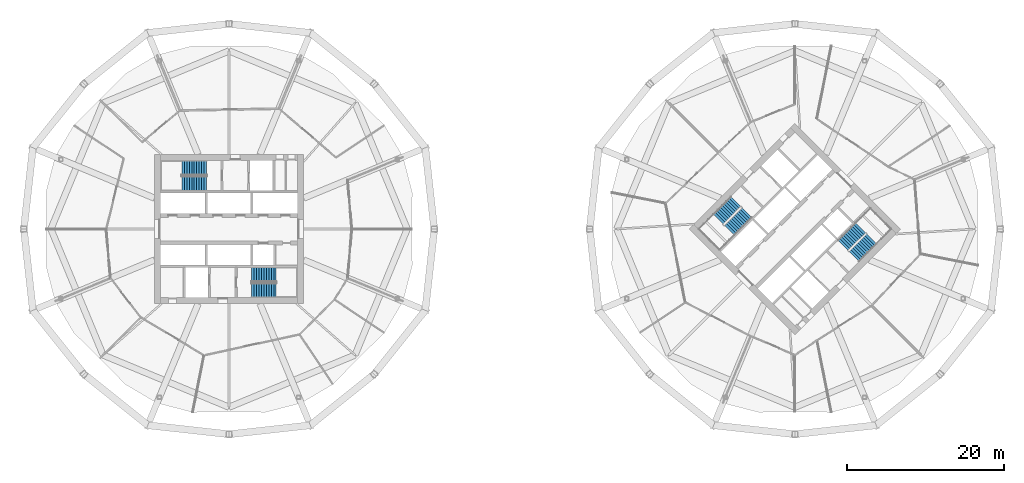
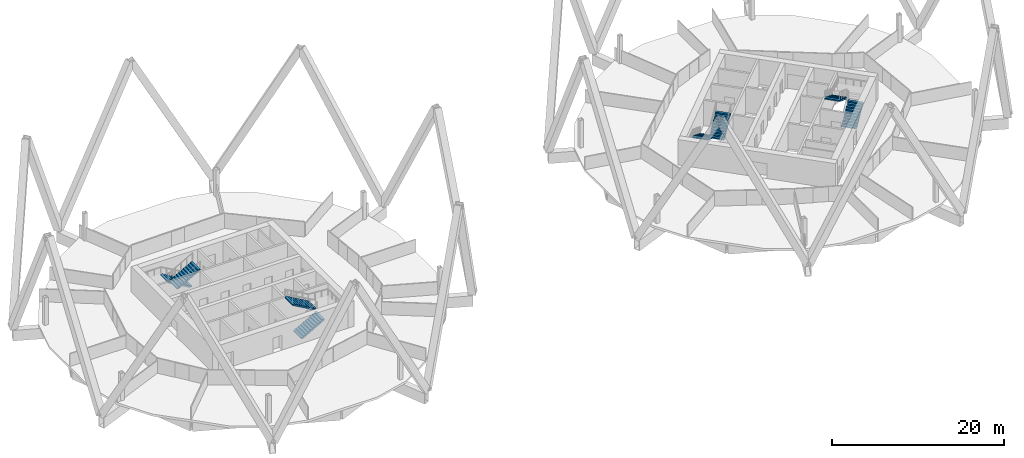
# One storey, part 8 of 9: 8 stair flights, 4 elements without a shape of their own.
"""IFC4 building model written with IfcOpenShell, lengths in metres."""

from ifc_helpers import new_model, si_unit, direction, frame, origin, place, context, subcontext, project, spatial, polyline, outline, extrude, material, type_object, element, aggregate, save


model = new_model("IFC4")

# Units and contexts
model_context = context("Model", 3, precision=1e-05, world=origin(), true_north=direction((0.0, 1.0)))
body_context = subcontext(model_context, "Body", "Model", "MODEL_VIEW")
ifc_project = project(units=[si_unit("LENGTHUNIT", "METRE"), si_unit("AREAUNIT", "SQUARE_METRE"), si_unit("VOLUMEUNIT", "CUBIC_METRE"), si_unit("PLANEANGLEUNIT", "RADIAN"), si_unit("MASSUNIT", "GRAM", prefix="KILO")], contexts=[model_context])

# Site, building, storey
site_placement = place(None, origin())
site = spatial("IfcSite", under=ifc_project, at=site_placement, CompositionType="ELEMENT")
building_placement = place(site_placement, origin())
building = spatial("IfcBuilding", under=site, at=building_placement, Name="Ogive Gate Towers", CompositionType="ELEMENT")
storey_placement = place(building_placement, frame((0.0, 0.0, 95.699951171875)))
storey = spatial("IfcBuildingStorey", under=building, at=storey_placement, Name="L22", CompositionType="ELEMENT", Elevation=95.699951171875)

# Stair, stair flights
ifc_material = material(Name="Concrete C40/50", Category="concrete")
stair_type = type_object("IfcStairType", Name="Escape stair 1840 wide", PredefinedType="HALF_TURN_STAIR", material=ifc_material)
stair_1_placement = place(storey_placement, origin())
stair_1 = element("IfcStair", 1, at=stair_1_placement, inside=storey, type_object=stair_type, Name="L22 Escape stair 1", PredefinedType="HALF_TURN_STAIR")
stair_flight_type = type_object("IfcStairFlightType", Name="Stair flight 1840 wide", PredefinedType="STRAIGHT", material=ifc_material)
stair_flight_1_placement = place(storey_placement, frame((-38.864990234375, 7.780029296875, 0.0), z_axis=(0.0, 0.0, 1.0), x_axis=(-1.0, 0.0, 0.0)))
stair_flight_1 = element("IfcStairFlight", 2, at=stair_flight_1_placement, type_object=stair_flight_type, Name="ST1 flight 1", NumberOfRisers=11, NumberOfTreads=10, PredefinedType="STRAIGHT", RiserHeight=0.177272727, TreadLength=0.313636364, context=body_context, shape_type="SweptSolid", body=[
    extrude(outline(polyline([(0.0, 0.0), (0.0, 0.17724609375), (0.313720703125, 0.17724609375), (0.313720703125, 0.3544921875), (0.627197265625, 0.3544921875), (0.627197265625, 0.53173828125), (0.94091796875, 0.53173828125), (0.94091796875, 0.708984375), (1.254638671875, 0.708984375), (1.254638671875, 0.886474609375), (1.568115234375, 0.886474609375), (1.568115234375, 1.063720703125), (1.8818359375, 1.063720703125), (1.8818359375, 1.240966796875), (2.195556640625, 1.240966796875), (2.195556640625, 1.418212890625), (2.509033203125, 1.418212890625), (2.509033203125, 1.595458984375), (2.82275390625, 1.595458984375), (2.82275390625, 1.772705078125), (3.136474609375, 1.772705078125), (3.136474609375, 1.949951171875), (3.136474609375, 1.6005859375), (0.3046875, 0.0), (0.0, 0.0)])), frame((0.0, 0.919921875, 0.0), z_axis=(0.0, -1.0, 0.0), x_axis=(1.0, 0.0, 0.0)), (0.0, 0.0, 1.0), 1.840087890625),
])
stair_flight_2_placement = place(storey_placement, frame((-42.00146484375, 5.794921875, 1.949951171875), z_axis=(0.0, 0.0, 1.0), x_axis=(1.0, 0.0, 0.0)))
stair_flight_2 = element("IfcStairFlight", 3, at=stair_flight_2_placement, type_object=stair_flight_type, Name="ST1 flight 2", NumberOfRisers=11, NumberOfTreads=10, PredefinedType="STRAIGHT", RiserHeight=0.177272727, TreadLength=0.313636364, context=body_context, shape_type="SweptSolid", body=[
    extrude(outline(polyline([(0.0, 0.0), (0.0, 0.17724609375), (0.313720703125, 0.17724609375), (0.313720703125, 0.3544921875), (0.627197265625, 0.3544921875), (0.627197265625, 0.53173828125), (0.94091796875, 0.53173828125), (0.94091796875, 0.708984375), (1.254638671875, 0.708984375), (1.254638671875, 0.886474609375), (1.568115234375, 0.886474609375), (1.568115234375, 1.063720703125), (1.8818359375, 1.063720703125), (1.8818359375, 1.240966796875), (2.195556640625, 1.240966796875), (2.195556640625, 1.418212890625), (2.509033203125, 1.418212890625), (2.509033203125, 1.595458984375), (2.82275390625, 1.595458984375), (2.82275390625, 1.772705078125), (3.136474609375, 1.772705078125), (3.136474609375, 1.949951171875), (3.136474609375, 1.6005859375), (0.3046875, 0.0), (0.0, 0.0)])), frame((0.0, 0.919921875, 0.0), z_axis=(0.0, -1.0, 0.0), x_axis=(1.0, 0.0, 0.0)), (0.0, 0.0, 1.0), 1.840087890625),
])
aggregate(stair_1, [stair_flight_1, stair_flight_2])

stair_2_placement = place(storey_placement, origin())
stair_2 = element("IfcStair", 4, at=stair_2_placement, inside=storey, type_object=stair_type, Name="L22 Escape stair 2", PredefinedType="HALF_TURN_STAIR")
stair_flight_3_placement = place(storey_placement, frame((-33.135009765625, -7.780029296875, 0.0), z_axis=(0.0, 0.0, 1.0), x_axis=(1.0, 0.0, 0.0)))
stair_flight_3 = element("IfcStairFlight", 5, at=stair_flight_3_placement, type_object=stair_flight_type, Name="ST2 flight 1", NumberOfRisers=11, NumberOfTreads=10, PredefinedType="STRAIGHT", RiserHeight=0.177272727, TreadLength=0.313636364, context=body_context, shape_type="SweptSolid", body=[
    extrude(outline(polyline([(0.0, 0.0), (0.0, 0.17724609375), (0.313720703125, 0.17724609375), (0.313720703125, 0.3544921875), (0.627197265625, 0.3544921875), (0.627197265625, 0.53173828125), (0.94091796875, 0.53173828125), (0.94091796875, 0.708984375), (1.254638671875, 0.708984375), (1.254638671875, 0.886474609375), (1.568115234375, 0.886474609375), (1.568115234375, 1.063720703125), (1.8818359375, 1.063720703125), (1.8818359375, 1.240966796875), (2.195556640625, 1.240966796875), (2.195556640625, 1.418212890625), (2.509033203125, 1.418212890625), (2.509033203125, 1.595458984375), (2.82275390625, 1.595458984375), (2.82275390625, 1.772705078125), (3.136474609375, 1.772705078125), (3.136474609375, 1.949951171875), (3.136474609375, 1.6005859375), (0.3046875, 0.0), (0.0, 0.0)])), frame((0.0, 0.919921875, 0.0), z_axis=(0.0, -1.0, 0.0), x_axis=(1.0, 0.0, 0.0)), (0.0, 0.0, 1.0), 1.840087890625),
])
stair_flight_4_placement = place(storey_placement, frame((-29.99853515625, -5.794921875, 1.949951171875), z_axis=(0.0, 0.0, 1.0), x_axis=(-1.0, 0.0, 0.0)))
stair_flight_4 = element("IfcStairFlight", 6, at=stair_flight_4_placement, type_object=stair_flight_type, Name="ST2 flight 2", NumberOfRisers=11, NumberOfTreads=10, PredefinedType="STRAIGHT", RiserHeight=0.177272727, TreadLength=0.313636364, context=body_context, shape_type="SweptSolid", body=[
    extrude(outline(polyline([(0.0, 0.0), (0.0, 0.17724609375), (0.313720703125, 0.17724609375), (0.313720703125, 0.3544921875), (0.627197265625, 0.3544921875), (0.627197265625, 0.53173828125), (0.94091796875, 0.53173828125), (0.94091796875, 0.708984375), (1.254638671875, 0.708984375), (1.254638671875, 0.886474609375), (1.568115234375, 0.886474609375), (1.568115234375, 1.063720703125), (1.8818359375, 1.063720703125), (1.8818359375, 1.240966796875), (2.195556640625, 1.240966796875), (2.195556640625, 1.418212890625), (2.509033203125, 1.418212890625), (2.509033203125, 1.595458984375), (2.82275390625, 1.595458984375), (2.82275390625, 1.772705078125), (3.136474609375, 1.772705078125), (3.136474609375, 1.949951171875), (3.136474609375, 1.6005859375), (0.3046875, 0.0), (0.0, 0.0)])), frame((0.0, 0.919921875, 0.0), z_axis=(0.0, -1.0, 0.0), x_axis=(1.0, 0.0, 0.0)), (0.0, 0.0, 1.0), 1.840087890625),
])
aggregate(stair_2, [stair_flight_3, stair_flight_4])

stair_3_placement = place(storey_placement, origin())
stair_3 = element("IfcStair", 7, at=stair_3_placement, inside=storey, type_object=stair_type, Name="L22 Escape stair 1", PredefinedType="HALF_TURN_STAIR")
stair_flight_5_placement = place(storey_placement, frame((28.472900390625, 3.475341796875, 0.0), z_axis=(0.0, 0.0, 1.0), x_axis=(-0.707106781187, -0.707106781187, 0.0)))
stair_flight_5 = element("IfcStairFlight", 8, at=stair_flight_5_placement, type_object=stair_flight_type, Name="ST1 flight 1", NumberOfRisers=11, NumberOfTreads=10, PredefinedType="STRAIGHT", RiserHeight=0.177272727, TreadLength=0.313636364, context=body_context, shape_type="SweptSolid", body=[
    extrude(outline(polyline([(0.0, 0.0), (0.0, 0.17724609375), (0.313720703125, 0.17724609375), (0.313720703125, 0.3544921875), (0.627197265625, 0.3544921875), (0.627197265625, 0.53173828125), (0.94091796875, 0.53173828125), (0.94091796875, 0.708984375), (1.254638671875, 0.708984375), (1.254638671875, 0.886474609375), (1.568115234375, 0.886474609375), (1.568115234375, 1.063720703125), (1.8818359375, 1.063720703125), (1.8818359375, 1.240966796875), (2.195556640625, 1.240966796875), (2.195556640625, 1.418212890625), (2.509033203125, 1.418212890625), (2.509033203125, 1.595458984375), (2.82275390625, 1.595458984375), (2.82275390625, 1.772705078125), (3.136474609375, 1.772705078125), (3.136474609375, 1.949951171875), (3.136474609375, 1.6005859375), (0.3046875, 0.0), (0.0, 0.0)])), frame((0.0, 0.919921875, 0.0), z_axis=(0.0, -1.0, 0.0), x_axis=(1.0, 0.0, 0.0)), (0.0, 0.0, 1.0), 1.840087890625),
])
stair_flight_6_placement = place(storey_placement, frame((27.65869140625, -0.14599609375, 1.949951171875), z_axis=(0.0, 0.0, 1.0), x_axis=(0.707106781187, 0.707106781187, 0.0)))
stair_flight_6 = element("IfcStairFlight", 9, at=stair_flight_6_placement, type_object=stair_flight_type, Name="ST1 flight 2", NumberOfRisers=11, NumberOfTreads=10, PredefinedType="STRAIGHT", RiserHeight=0.177272727, TreadLength=0.313636364, context=body_context, shape_type="SweptSolid", body=[
    extrude(outline(polyline([(0.0, 0.0), (0.0, 0.17724609375), (0.313720703125, 0.17724609375), (0.313720703125, 0.3544921875), (0.627197265625, 0.3544921875), (0.627197265625, 0.53173828125), (0.94091796875, 0.53173828125), (0.94091796875, 0.708984375), (1.254638671875, 0.708984375), (1.254638671875, 0.886474609375), (1.568115234375, 0.886474609375), (1.568115234375, 1.063720703125), (1.8818359375, 1.063720703125), (1.8818359375, 1.240966796875), (2.195556640625, 1.240966796875), (2.195556640625, 1.418212890625), (2.509033203125, 1.418212890625), (2.509033203125, 1.595458984375), (2.82275390625, 1.595458984375), (2.82275390625, 1.772705078125), (3.136474609375, 1.772705078125), (3.136474609375, 1.949951171875), (3.136474609375, 1.6005859375), (0.3046875, 0.0), (0.0, 0.0)])), frame((0.0, 0.919921875, 0.0), z_axis=(0.0, -1.0, 0.0), x_axis=(1.0, 0.0, 0.0)), (0.0, 0.0, 1.0), 1.840087890625),
])
aggregate(stair_3, [stair_flight_5, stair_flight_6])

stair_4_placement = place(storey_placement, origin())
stair_4 = element("IfcStair", 10, at=stair_4_placement, inside=storey, type_object=stair_type, Name="L22 Escape stair 2", PredefinedType="HALF_TURN_STAIR")
stair_flight_7_placement = place(storey_placement, frame((43.527099609375, -3.475341796875, 0.0), z_axis=(0.0, 0.0, 1.0), x_axis=(0.707106781187, 0.707106781187, 0.0)))
stair_flight_7 = element("IfcStairFlight", 11, at=stair_flight_7_placement, type_object=stair_flight_type, Name="ST2 flight 1", NumberOfRisers=11, NumberOfTreads=10, PredefinedType="STRAIGHT", RiserHeight=0.177272727, TreadLength=0.313636364, context=body_context, shape_type="SweptSolid", body=[
    extrude(outline(polyline([(0.0, 0.0), (0.0, 0.17724609375), (0.313720703125, 0.17724609375), (0.313720703125, 0.3544921875), (0.627197265625, 0.3544921875), (0.627197265625, 0.53173828125), (0.94091796875, 0.53173828125), (0.94091796875, 0.708984375), (1.254638671875, 0.708984375), (1.254638671875, 0.886474609375), (1.568115234375, 0.886474609375), (1.568115234375, 1.063720703125), (1.8818359375, 1.063720703125), (1.8818359375, 1.240966796875), (2.195556640625, 1.240966796875), (2.195556640625, 1.418212890625), (2.509033203125, 1.418212890625), (2.509033203125, 1.595458984375), (2.82275390625, 1.595458984375), (2.82275390625, 1.772705078125), (3.136474609375, 1.772705078125), (3.136474609375, 1.949951171875), (3.136474609375, 1.6005859375), (0.3046875, 0.0), (0.0, 0.0)])), frame((0.0, 0.919921875, 0.0), z_axis=(0.0, -1.0, 0.0), x_axis=(1.0, 0.0, 0.0)), (0.0, 0.0, 1.0), 1.840087890625),
])
stair_flight_8_placement = place(storey_placement, frame((44.34130859375, 0.14599609375, 1.949951171875), z_axis=(0.0, 0.0, 1.0), x_axis=(-0.707106781187, -0.707106781187, 0.0)))
stair_flight_8 = element("IfcStairFlight", 12, at=stair_flight_8_placement, type_object=stair_flight_type, Name="ST2 flight 2", NumberOfRisers=11, NumberOfTreads=10, PredefinedType="STRAIGHT", RiserHeight=0.177272727, TreadLength=0.313636364, context=body_context, shape_type="SweptSolid", body=[
    extrude(outline(polyline([(0.0, 0.0), (0.0, 0.17724609375), (0.313720703125, 0.17724609375), (0.313720703125, 0.3544921875), (0.627197265625, 0.3544921875), (0.627197265625, 0.53173828125), (0.94091796875, 0.53173828125), (0.94091796875, 0.708984375), (1.254638671875, 0.708984375), (1.254638671875, 0.886474609375), (1.568115234375, 0.886474609375), (1.568115234375, 1.063720703125), (1.8818359375, 1.063720703125), (1.8818359375, 1.240966796875), (2.195556640625, 1.240966796875), (2.195556640625, 1.418212890625), (2.509033203125, 1.418212890625), (2.509033203125, 1.595458984375), (2.82275390625, 1.595458984375), (2.82275390625, 1.772705078125), (3.136474609375, 1.772705078125), (3.136474609375, 1.949951171875), (3.136474609375, 1.6005859375), (0.3046875, 0.0), (0.0, 0.0)])), frame((0.0, 0.919921875, 0.0), z_axis=(0.0, -1.0, 0.0), x_axis=(1.0, 0.0, 0.0)), (0.0, 0.0, 1.0), 1.840087890625),
])
aggregate(stair_4, [stair_flight_7, stair_flight_8])

save(model, "model.ifc")
